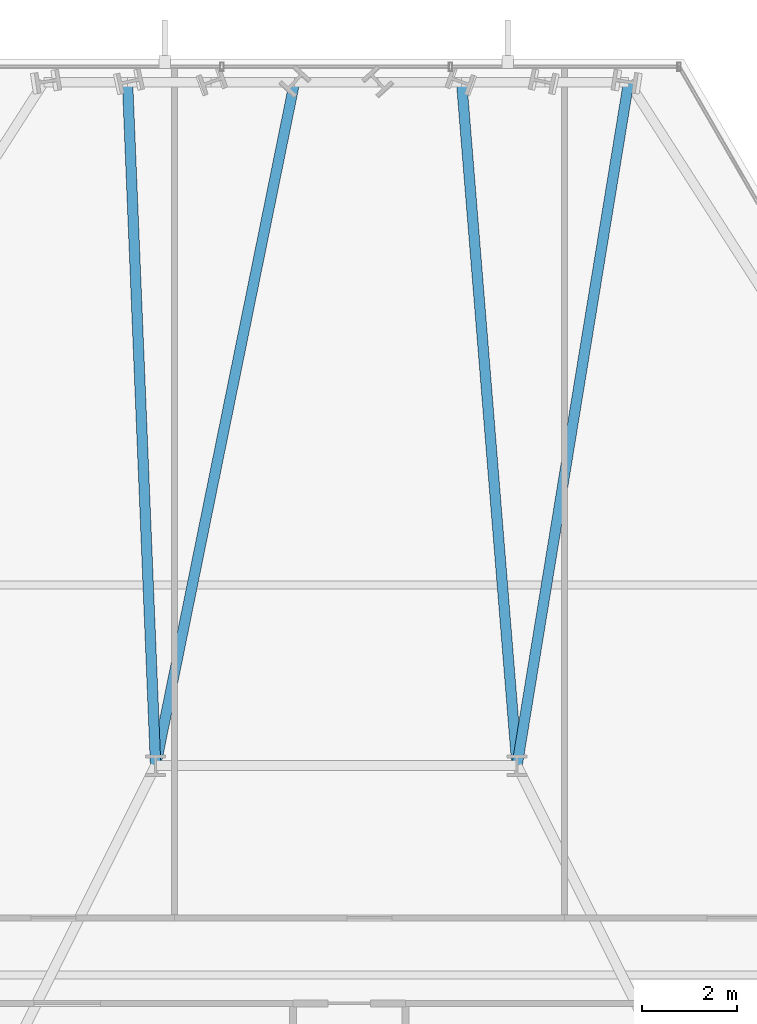
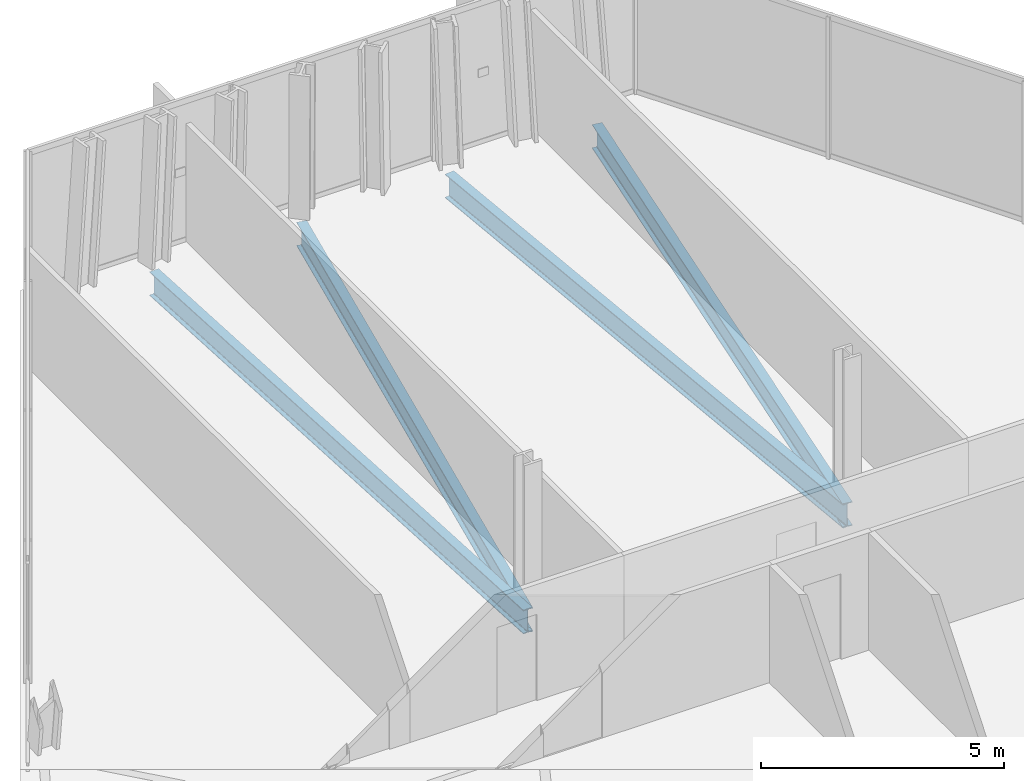
# One storey, part 23 of 33: 4 beams.
"""IFC4 building model written with IfcOpenShell, lengths in metres."""

from ifc_helpers import new_model, si_unit, direction, frame, origin, origin_2d, place, context, subcontext, project, spatial, i_section, extrude, material, material_profile, profile_set, type_object, element, save


model = new_model("IFC4")

# Units and contexts
model_context = context("Model", 3, precision=1e-05, world=origin(), true_north=direction((0.0, 1.0)))
body_context = subcontext(model_context, "Body", "Model", "MODEL_VIEW")
ifc_project = project(units=[si_unit("LENGTHUNIT", "METRE"), si_unit("AREAUNIT", "SQUARE_METRE"), si_unit("VOLUMEUNIT", "CUBIC_METRE"), si_unit("PLANEANGLEUNIT", "RADIAN"), si_unit("MASSUNIT", "GRAM", prefix="KILO")], contexts=[model_context])

# Site, building, storey
site_placement = place(None, origin())
site = spatial("IfcSite", under=ifc_project, at=site_placement, CompositionType="ELEMENT")
building_placement = place(site_placement, origin())
building = spatial("IfcBuilding", under=site, at=building_placement, Name="Ndaravel Arena Tower", CompositionType="ELEMENT")
storey_placement = place(building_placement, frame((0.0, 0.0, 89.199951171875)))
storey = spatial("IfcBuildingStorey", under=building, at=storey_placement, Name="L20", CompositionType="ELEMENT", Elevation=89.199951171875)

# Beams
ifc_material = material(Name="Steel S355", Category="steel")
ifc_material_profile = material_profile(ifc_material, i_section(OverallWidth=0.219970703125, OverallDepth=0.60009765625, WebThickness=0.011962890625, FlangeThickness=0.01904296875, FilletRadius=0.02392578125, at=origin_2d()), Name="IPE 600")
ifc_profile_set = profile_set([ifc_material_profile], Name="Steel S355")
beam_type = type_object("IfcBeamType", Name="BM-GIRD-IPE600", PredefinedType="BEAM", material=ifc_profile_set)
beam_1_placement = place(storey_placement, frame((48.147216796875, 45.575927734375, -0.52001953125), z_axis=(-0.161136563315, -0.986932119228, 0.0), x_axis=(0.986932119228, -0.161136563315, 0.0)))
element("IfcBeam", 1, at=beam_1_placement, inside=storey, type_object=beam_type, Name="L20 Radial Floor Girder FG-11", PredefinedType="BEAM", context=body_context, shape_type="SweptSolid", body=[
    extrude(i_section(OverallWidth=0.219970703125, OverallDepth=0.60009765625, WebThickness=0.011962890625, FlangeThickness=0.01904296875, FilletRadius=0.02392578125, at=origin_2d()), origin(), (0.0, 0.0, 1.0), 14.56640625),
])
beam_2_placement = place(storey_placement, frame((44.634521484375, 45.575927734375, -0.52001953125), z_axis=(0.080809505784, -0.996729564012, 0.0), x_axis=(0.996729564012, 0.080809505784, 0.0)))
element("IfcBeam", 2, at=beam_2_placement, inside=storey, type_object=beam_type, Name="L20 Radial Floor Girder FG-13", PredefinedType="BEAM", context=body_context, shape_type="SweptSolid", body=[
    extrude(i_section(OverallWidth=0.219970703125, OverallDepth=0.60009765625, WebThickness=0.011962890625, FlangeThickness=0.01904296875, FilletRadius=0.02392578125, at=origin_2d()), origin(), (0.0, 0.0, 1.0), 14.423095703125),
])
beam_3_placement = place(storey_placement, frame((41.121826171875, 45.575927734375, -0.52001953125), z_axis=(-0.199174799524, -0.979963978539, 0.0), x_axis=(0.979963978539, -0.199174799524, 0.0)))
element("IfcBeam", 3, at=beam_3_placement, inside=storey, type_object=beam_type, Name="L20 Radial Floor Girder FG-15", PredefinedType="BEAM", context=body_context, shape_type="SweptSolid", body=[
    extrude(i_section(OverallWidth=0.219970703125, OverallDepth=0.60009765625, WebThickness=0.011962890625, FlangeThickness=0.01904296875, FilletRadius=0.02392578125, at=origin_2d()), origin(), (0.0, 0.0, 1.0), 14.669921875),
])
beam_4_placement = place(storey_placement, frame((37.609375, 45.575927734375, -0.52001953125), z_axis=(0.041046148223, -0.999157251746, 0.0), x_axis=(0.999157251746, 0.041046148223, 0.0)))
element("IfcBeam", 4, at=beam_4_placement, inside=storey, type_object=beam_type, Name="L20 Radial Floor Girder FG-17", PredefinedType="BEAM", context=body_context, shape_type="SweptSolid", body=[
    extrude(i_section(OverallWidth=0.219970703125, OverallDepth=0.60009765625, WebThickness=0.011962890625, FlangeThickness=0.01904296875, FilletRadius=0.02392578125, at=origin_2d()), origin(), (0.0, 0.0, 1.0), 14.38818359375),
])

save(model, "model.ifc")
